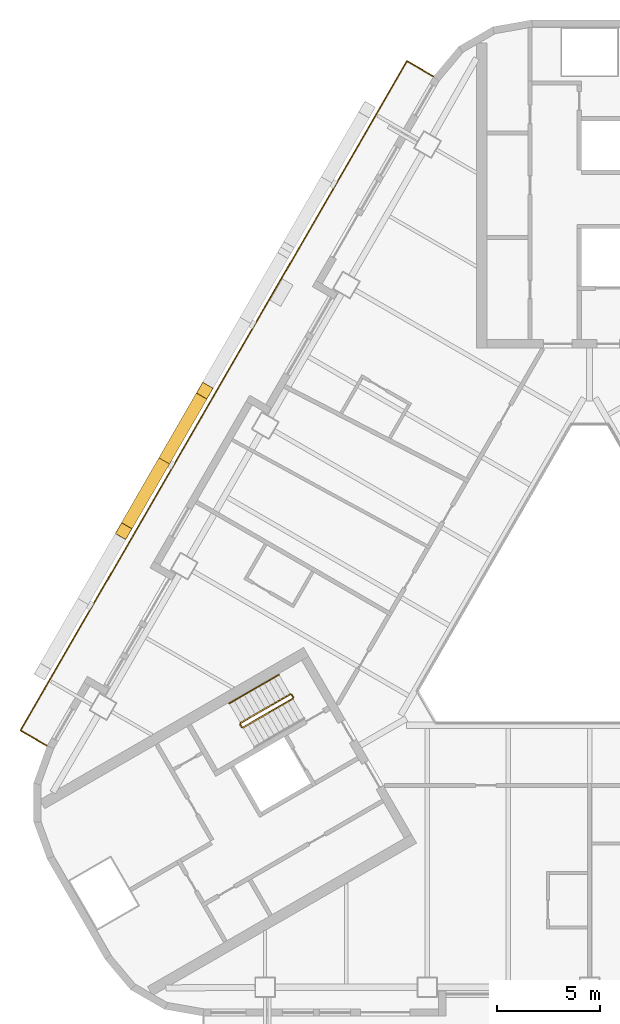
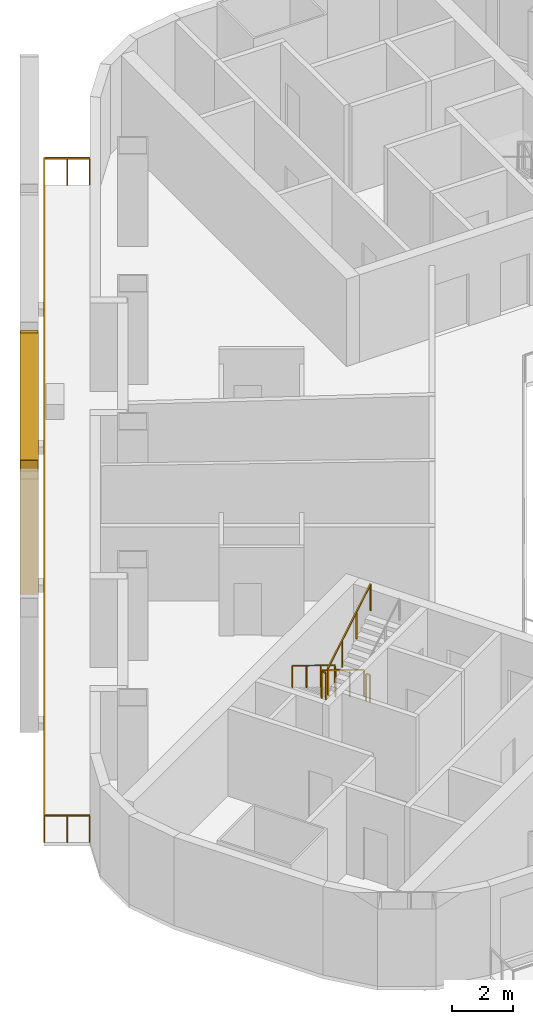
# One storey, part 9 of 13: 6 railings, 2 shading devices.
"""IFC4 building model written with IfcOpenShell, lengths in metres."""

from ifc_helpers import new_model, si_unit, direction, frame, origin, origin_2d, place, context, subcontext, project, spatial, rectangle, hollow_rectangle, circle, extrude, material, material_profile, profile_set, type_object, element, save


model = new_model("IFC4")

# Units and contexts
model_context = context("Model", 3, precision=1e-05, world=origin(), true_north=direction((0.0, 1.0)))
body_context = subcontext(model_context, "Body", "Model", "MODEL_VIEW")
ifc_project = project(units=[si_unit("LENGTHUNIT", "METRE"), si_unit("AREAUNIT", "SQUARE_METRE"), si_unit("VOLUMEUNIT", "CUBIC_METRE"), si_unit("PLANEANGLEUNIT", "RADIAN"), si_unit("MASSUNIT", "GRAM", prefix="KILO")], contexts=[model_context])

# Site, building, storey
site_placement = place(None, origin())
site = spatial("IfcSite", under=ifc_project, at=site_placement, CompositionType="ELEMENT")
building_placement = place(site_placement, origin())
building = spatial("IfcBuilding", under=site, at=building_placement, Name="Apuvela Tower Hotel", CompositionType="ELEMENT")
storey_placement = place(building_placement, frame((0.0, 0.0, 68.699951171875)))
storey = spatial("IfcBuildingStorey", under=building, at=storey_placement, Name="L14", CompositionType="ELEMENT", Elevation=68.699951171875)

# Railings
ifc_material_1 = material(Name="Steel S275 balustrade", Category="steel")
railing_type_1 = type_object("IfcRailingType", Name="COR-GUARD-1100", PredefinedType="GUARDRAIL", material=ifc_material_1)
railing_1_placement = place(storey_placement, frame((-14.569091796875, -3.9658203125, 0.168212890625)))
element("IfcRailing", 1, at=railing_1_placement, inside=storey, type_object=railing_type_1, Name="L14 ST2 stair guard 1", PredefinedType="GUARDRAIL", context=body_context, shape_type="SweptSolid", body=[
    extrude(rectangle(XDim=0.048095703125, YDim=0.048095703125, at=origin_2d()), frame((0.0, 0.0, 1.076171875), z_axis=(-0.742390482028, -0.42860119049, 0.514934356695), x_axis=(0.49998411664, -0.866034573852, 0.0)), (0.0, 0.0, 1.0), 3.26611328125),
    extrude(rectangle(XDim=0.0419921875, YDim=0.0419921875, at=origin_2d()), origin(), (0.0, 0.0, 1.0), 1.052001953125),
    extrude(rectangle(XDim=0.0419921875, YDim=0.0419921875, at=origin_2d()), frame((-0.808349609375, -0.466552734375, 0.560546875)), (0.0, 0.0, 1.0), 1.052001953125),
    extrude(rectangle(XDim=0.0419921875, YDim=0.0419921875, at=origin_2d()), frame((-1.616455078125, -0.933349609375, 1.121337890625)), (0.0, 0.0, 1.0), 1.052001953125),
    extrude(rectangle(XDim=0.0419921875, YDim=0.0419921875, at=origin_2d()), frame((-2.4248046875, -1.39990234375, 1.681884765625)), (0.0, 0.0, 1.0), 1.052001953125),
])
railing_2_placement = place(storey_placement, frame((-17.01220703125, -5.43408203125, 1.85009765625)))
element("IfcRailing", 2, at=railing_2_placement, inside=storey, type_object=railing_type_1, Name="L14 ST2 stair guard 2", PredefinedType="GUARDRAIL", context=body_context, shape_type="SweptSolid", body=[
    extrude(rectangle(XDim=0.048095703125, YDim=0.048095703125, at=origin_2d()), frame((0.0, 0.0, 1.076171875), z_axis=(0.499816412211, -0.866131372301, 0.0), x_axis=(0.866131372301, 0.499816412211, 0.0)), (0.0, 0.0, 1.0), 0.14990234375),
    extrude(rectangle(XDim=0.0419921875, YDim=0.0419921875, at=origin_2d()), origin(), (0.0, 0.0, 1.0), 1.052001953125),
    extrude(rectangle(XDim=0.0419921875, YDim=0.0419921875, at=origin_2d()), frame((0.074951171875, -0.1298828125, 0.0)), (0.0, 0.0, 1.0), 1.052001953125),
])
railing_3_placement = place(storey_placement, frame((-16.868896484375, -5.582275390625, 2.018310546875)))
element("IfcRailing", 3, at=railing_3_placement, inside=storey, type_object=railing_type_1, Name="L14 ST2 stair guard 3", PredefinedType="GUARDRAIL", context=body_context, shape_type="SweptSolid", body=[
    extrude(rectangle(XDim=0.048095703125, YDim=0.048095703125, at=origin_2d()), frame((0.0, 0.0, 1.076171875), z_axis=(0.74241905619, 0.428617687091, 0.514879426), x_axis=(-0.49998411664, 0.866034573852, 0.0)), (0.0, 0.0, 1.0), 3.26611328125),
    extrude(rectangle(XDim=0.0419921875, YDim=0.0419921875, at=origin_2d()), origin(), (0.0, 0.0, 1.0), 1.052001953125),
    extrude(rectangle(XDim=0.0419921875, YDim=0.0419921875, at=origin_2d()), frame((0.808349609375, 0.466552734375, 0.560546875)), (0.0, 0.0, 1.0), 1.052001953125),
    extrude(rectangle(XDim=0.0419921875, YDim=0.0419921875, at=origin_2d()), frame((1.616455078125, 0.933349609375, 1.12109375)), (0.0, 0.0, 1.0), 1.052001953125),
    extrude(rectangle(XDim=0.0419921875, YDim=0.0419921875, at=origin_2d()), frame((2.4248046875, 1.39990234375, 1.681640625)), (0.0, 0.0, 1.0), 1.052001953125),
])
railing_4_placement = place(storey_placement, frame((-14.500732421875, -3.984130859375, 0.0)))
element("IfcRailing", 4, at=railing_4_placement, inside=storey, type_object=railing_type_1, Name="L14 ST2 stair guard 4", PredefinedType="GUARDRAIL", context=body_context, shape_type="SweptSolid", body=[
    extrude(rectangle(XDim=0.048095703125, YDim=0.048095703125, at=origin_2d()), frame((0.0, 0.0, 1.076171875), z_axis=(0.499816412211, -0.866131372301, 0.0), x_axis=(0.866131372301, 0.499816412211, 0.0)), (0.0, 0.0, 1.0), 0.14990234375),
    extrude(rectangle(XDim=0.0419921875, YDim=0.0419921875, at=origin_2d()), origin(), (0.0, 0.0, 1.0), 1.052001953125),
    extrude(rectangle(XDim=0.0419921875, YDim=0.0419921875, at=origin_2d()), frame((0.074951171875, -0.1298828125, 0.0)), (0.0, 0.0, 1.0), 1.052001953125),
])
ifc_material_2 = material(Name="Stainless steel 316 handrail", Category="steel")
railing_type_2 = type_object("IfcRailingType", Name="COR-HANDRAIL-900", PredefinedType="HANDRAIL", material=ifc_material_2)
railing_5_placement = place(storey_placement, frame((-15.118896484375, -3.01318359375, 0.168212890625)))
element("IfcRailing", 5, at=railing_5_placement, inside=storey, type_object=railing_type_2, Name="L14 ST2 stair handrail 1", PredefinedType="HANDRAIL", context=body_context, shape_type="SweptSolid", body=[
    extrude(circle(Radius=0.02392578125, at=origin_2d()), frame((0.0, 0.0, 0.8759765625), z_axis=(-0.742424030051, -0.428577407461, 0.514905783049), x_axis=(0.49994636267, -0.866056369097, 0.0)), (0.0, 0.0, 1.0), 3.266357421875),
    extrude(rectangle(XDim=0.0419921875, YDim=0.0419921875, at=origin_2d()), origin(), (0.0, 0.0, 1.0), 0.851806640625),
    extrude(rectangle(XDim=0.0419921875, YDim=0.0419921875, at=origin_2d()), frame((-0.808349609375, -0.466552734375, 0.560546875)), (0.0, 0.0, 1.0), 0.851806640625),
    extrude(rectangle(XDim=0.0419921875, YDim=0.0419921875, at=origin_2d()), frame((-1.61669921875, -0.933349609375, 1.121337890625)), (0.0, 0.0, 1.0), 0.851806640625),
    extrude(rectangle(XDim=0.0419921875, YDim=0.0419921875, at=origin_2d()), frame((-2.425048828125, -1.39990234375, 1.681884765625)), (0.0, 0.0, 1.0), 0.851806640625),
])

# Shading devices
ifc_material_3 = material(Name="Aluminium 6063-T6, black anodised", Category="aluminium")
ifc_material_profile = material_profile(ifc_material_3, hollow_rectangle(XDim=0.60009765625, YDim=0.699951171875, WallThickness=0.011962890625, at=origin_2d()), Name="AL BOX 700x600x12")
ifc_profile_set = profile_set([ifc_material_profile], Name="Aluminium 6063-T6, black anodised")
shading_device_type = type_object("IfcShadingDeviceType", Name="ENV-FIN-700x600", PredefinedType="USERDEFINED", material=ifc_profile_set)
shading_device_1_placement = place(storey_placement, frame((-20.70703125, 7.394287109375, -0.099853515625), z_axis=(0.235436388043, 0.407800622186, 0.882195193667), x_axis=(-0.866032218625, 0.499988196164, 0.0)))
element("IfcShadingDevice", 6, at=shading_device_1_placement, inside=storey, type_object=shading_device_type, Name="Lattice fin NW125", ObjectType="FIN", PredefinedType="USERDEFINED", context=body_context, shape_type="SweptSolid", body=[
    extrude(hollow_rectangle(XDim=0.60009765625, YDim=0.699951171875, WallThickness=0.011962890625, at=origin_2d()), origin(), (0.0, 0.0, 1.0), 8.387939453125),
])
shading_device_2_placement = place(storey_placement, frame((-20.70703125, 7.394287109375, -0.099853515625), z_axis=(-0.235461085354, -0.407822092458, 0.882178677019), x_axis=(0.866020906874, -0.500007788796, 0.0)))
element("IfcShadingDevice", 7, at=shading_device_2_placement, inside=storey, type_object=shading_device_type, Name="Lattice fin NW126", ObjectType="FIN", PredefinedType="USERDEFINED", context=body_context, shape_type="SweptSolid", body=[
    extrude(hollow_rectangle(XDim=0.60009765625, YDim=0.699951171875, WallThickness=0.011962890625, at=origin_2d()), origin(), (0.0, 0.0, 1.0), 8.38818359375),
])

# Railing
ifc_material_4 = material(Name="Stainless steel 316 rail with laminated glass infill", Category="steel")
railing_type_3 = type_object("IfcRailingType", Name="ENV-GUARD-1100", PredefinedType="GUARDRAIL", material=ifc_material_4)
railing_6_placement = place(storey_placement, frame((-7.59228515625, 26.110107421875, 0.0)))
element("IfcRailing", 8, at=railing_6_placement, inside=storey, type_object=railing_type_3, Name="Balcony guard NW L14", PredefinedType="GUARDRAIL", context=body_context, shape_type="SweptSolid", body=[
    extrude(rectangle(XDim=0.050048828125, YDim=0.050048828125, at=origin_2d()), frame((0.0, 0.0, 1.0751953125), z_axis=(-0.86599040064, 0.500060622324, 0.0), x_axis=(-0.500060622324, -0.86599040064, 0.0)), (0.0, 0.0, 1.0), 1.499755859375),
    extrude(rectangle(XDim=0.050048828125, YDim=0.050048828125, at=origin_2d()), frame((-1.298828125, 0.75, 1.0751953125), z_axis=(-0.500000437506, -0.86602515119, 0.0), x_axis=(0.86602515119, -0.500000437506, 0.0)), (0.0, 0.0, 1.0), 37.6318359375),
    extrude(rectangle(XDim=0.050048828125, YDim=0.050048828125, at=origin_2d()), frame((-20.11474609375, -31.840087890625, 1.0751953125), z_axis=(0.866031096941, -0.499990139034, 0.0), x_axis=(0.499990139034, 0.866031096941, 0.0)), (0.0, 0.0, 1.0), 1.5),
    extrude(rectangle(XDim=0.0400390625, YDim=0.0400390625, at=origin_2d()), origin(), (0.0, 0.0, 1.0), 1.050048828125),
    extrude(rectangle(XDim=0.0400390625, YDim=0.0400390625, at=origin_2d()), frame((-0.6494140625, 0.375, 0.0)), (0.0, 0.0, 1.0), 1.050048828125),
    extrude(rectangle(XDim=0.0400390625, YDim=0.0400390625, at=origin_2d()), frame((-1.298828125, 0.75, 0.0)), (0.0, 0.0, 1.0), 1.050048828125),
    extrude(rectangle(XDim=0.0400390625, YDim=0.0400390625, at=origin_2d()), frame((-1.88671875, -0.2685546875, 0.0)), (0.0, 0.0, 1.0), 1.050048828125),
    extrude(rectangle(XDim=0.0400390625, YDim=0.0400390625, at=origin_2d()), frame((-2.474853515625, -1.286865234375, 0.0)), (0.0, 0.0, 1.0), 1.050048828125),
    extrude(rectangle(XDim=0.0400390625, YDim=0.0400390625, at=origin_2d()), frame((-3.062744140625, -2.305419921875, 0.0)), (0.0, 0.0, 1.0), 1.050048828125),
    extrude(rectangle(XDim=0.0400390625, YDim=0.0400390625, at=origin_2d()), frame((-3.65087890625, -3.32373046875, 0.0)), (0.0, 0.0, 1.0), 1.050048828125),
    extrude(rectangle(XDim=0.0400390625, YDim=0.0400390625, at=origin_2d()), frame((-4.23876953125, -4.34228515625, 0.0)), (0.0, 0.0, 1.0), 1.050048828125),
    extrude(rectangle(XDim=0.0400390625, YDim=0.0400390625, at=origin_2d()), frame((-4.826904296875, -5.360595703125, 0.0)), (0.0, 0.0, 1.0), 1.050048828125),
    extrude(rectangle(XDim=0.0400390625, YDim=0.0400390625, at=origin_2d()), frame((-5.414794921875, -6.379150390625, 0.0)), (0.0, 0.0, 1.0), 1.050048828125),
    extrude(rectangle(XDim=0.0400390625, YDim=0.0400390625, at=origin_2d()), frame((-6.0029296875, -7.3974609375, 0.0)), (0.0, 0.0, 1.0), 1.050048828125),
    extrude(rectangle(XDim=0.0400390625, YDim=0.0400390625, at=origin_2d()), frame((-6.5908203125, -8.416015625, 0.0)), (0.0, 0.0, 1.0), 1.050048828125),
    extrude(rectangle(XDim=0.0400390625, YDim=0.0400390625, at=origin_2d()), frame((-7.1787109375, -9.434326171875, 0.0)), (0.0, 0.0, 1.0), 1.050048828125),
    extrude(rectangle(XDim=0.0400390625, YDim=0.0400390625, at=origin_2d()), frame((-7.766845703125, -10.452880859375, 0.0)), (0.0, 0.0, 1.0), 1.050048828125),
    extrude(rectangle(XDim=0.0400390625, YDim=0.0400390625, at=origin_2d()), frame((-8.354736328125, -11.47119140625, 0.0)), (0.0, 0.0, 1.0), 1.050048828125),
    extrude(rectangle(XDim=0.0400390625, YDim=0.0400390625, at=origin_2d()), frame((-8.94287109375, -12.48974609375, 0.0)), (0.0, 0.0, 1.0), 1.050048828125),
    extrude(rectangle(XDim=0.0400390625, YDim=0.0400390625, at=origin_2d()), frame((-9.53076171875, -13.508056640625, 0.0)), (0.0, 0.0, 1.0), 1.050048828125),
    extrude(rectangle(XDim=0.0400390625, YDim=0.0400390625, at=origin_2d()), frame((-10.118896484375, -14.526611328125, 0.0)), (0.0, 0.0, 1.0), 1.050048828125),
    extrude(rectangle(XDim=0.0400390625, YDim=0.0400390625, at=origin_2d()), frame((-10.706787109375, -15.544921875, 0.0)), (0.0, 0.0, 1.0), 1.050048828125),
    extrude(rectangle(XDim=0.0400390625, YDim=0.0400390625, at=origin_2d()), frame((-11.294677734375, -16.5634765625, 0.0)), (0.0, 0.0, 1.0), 1.050048828125),
    extrude(rectangle(XDim=0.0400390625, YDim=0.0400390625, at=origin_2d()), frame((-11.8828125, -17.58203125, 0.0)), (0.0, 0.0, 1.0), 1.050048828125),
    extrude(rectangle(XDim=0.0400390625, YDim=0.0400390625, at=origin_2d()), frame((-12.470703125, -18.600341796875, 0.0)), (0.0, 0.0, 1.0), 1.050048828125),
    extrude(rectangle(XDim=0.0400390625, YDim=0.0400390625, at=origin_2d()), frame((-13.058837890625, -19.618896484375, 0.0)), (0.0, 0.0, 1.0), 1.050048828125),
    extrude(rectangle(XDim=0.0400390625, YDim=0.0400390625, at=origin_2d()), frame((-13.646728515625, -20.63720703125, 0.0)), (0.0, 0.0, 1.0), 1.050048828125),
    extrude(rectangle(XDim=0.0400390625, YDim=0.0400390625, at=origin_2d()), frame((-14.23486328125, -21.65576171875, 0.0)), (0.0, 0.0, 1.0), 1.050048828125),
    extrude(rectangle(XDim=0.0400390625, YDim=0.0400390625, at=origin_2d()), frame((-14.82275390625, -22.674072265625, 0.0)), (0.0, 0.0, 1.0), 1.050048828125),
    extrude(rectangle(XDim=0.0400390625, YDim=0.0400390625, at=origin_2d()), frame((-15.41064453125, -23.692626953125, 0.0)), (0.0, 0.0, 1.0), 1.050048828125),
    extrude(rectangle(XDim=0.0400390625, YDim=0.0400390625, at=origin_2d()), frame((-15.998779296875, -24.7109375, 0.0)), (0.0, 0.0, 1.0), 1.050048828125),
    extrude(rectangle(XDim=0.0400390625, YDim=0.0400390625, at=origin_2d()), frame((-16.586669921875, -25.7294921875, 0.0)), (0.0, 0.0, 1.0), 1.050048828125),
    extrude(rectangle(XDim=0.0400390625, YDim=0.0400390625, at=origin_2d()), frame((-17.1748046875, -26.747802734375, 0.0)), (0.0, 0.0, 1.0), 1.050048828125),
    extrude(rectangle(XDim=0.0400390625, YDim=0.0400390625, at=origin_2d()), frame((-17.7626953125, -27.766357421875, 0.0)), (0.0, 0.0, 1.0), 1.050048828125),
    extrude(rectangle(XDim=0.0400390625, YDim=0.0400390625, at=origin_2d()), frame((-18.350830078125, -28.78466796875, 0.0)), (0.0, 0.0, 1.0), 1.050048828125),
    extrude(rectangle(XDim=0.0400390625, YDim=0.0400390625, at=origin_2d()), frame((-18.938720703125, -29.80322265625, 0.0)), (0.0, 0.0, 1.0), 1.050048828125),
    extrude(rectangle(XDim=0.0400390625, YDim=0.0400390625, at=origin_2d()), frame((-19.52685546875, -30.821533203125, 0.0)), (0.0, 0.0, 1.0), 1.050048828125),
    extrude(rectangle(XDim=0.0400390625, YDim=0.0400390625, at=origin_2d()), frame((-20.11474609375, -31.840087890625, 0.0)), (0.0, 0.0, 1.0), 1.050048828125),
    extrude(rectangle(XDim=0.0400390625, YDim=0.0400390625, at=origin_2d()), frame((-19.46533203125, -32.215087890625, 0.0)), (0.0, 0.0, 1.0), 1.050048828125),
    extrude(rectangle(XDim=0.0400390625, YDim=0.0400390625, at=origin_2d()), frame((-18.815673828125, -32.590087890625, 0.0)), (0.0, 0.0, 1.0), 1.050048828125),
])

save(model, "model.ifc")
